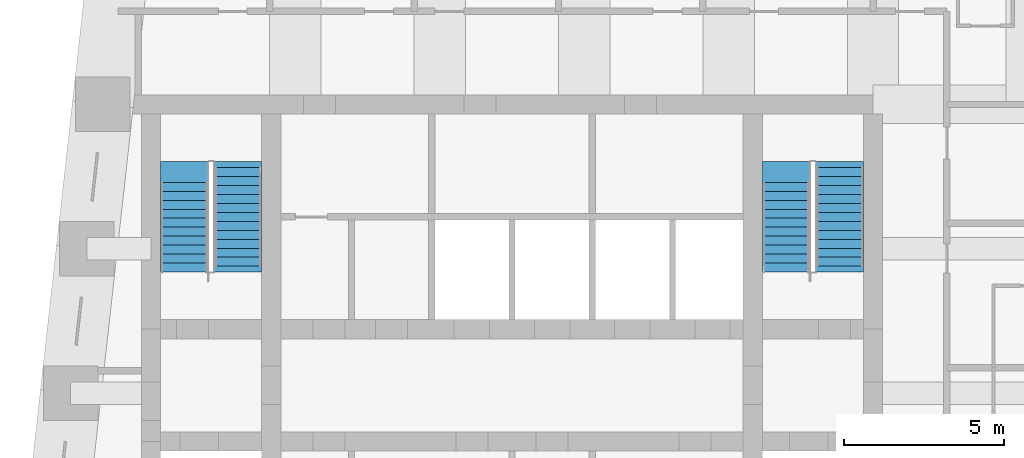
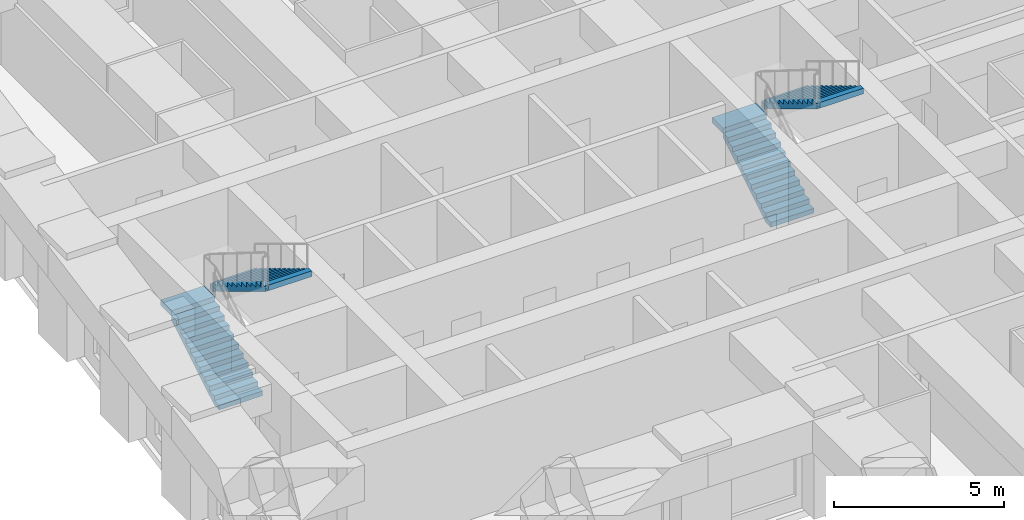
# One storey, part 6 of 7: 4 stair flights, 2 elements without a shape of their own.
"""IFC4 building model written with IfcOpenShell, lengths in metres."""

from ifc_helpers import new_model, si_unit, direction, frame, origin, place, context, subcontext, project, spatial, polyline, outline, extrude, material, type_object, element, aggregate, save


model = new_model("IFC4")

# Units and contexts
model_context = context("Model", 3, precision=1e-05, world=origin(), true_north=direction((0.0, 1.0)))
body_context = subcontext(model_context, "Body", "Model", "MODEL_VIEW")
ifc_project = project(units=[si_unit("LENGTHUNIT", "METRE"), si_unit("AREAUNIT", "SQUARE_METRE"), si_unit("VOLUMEUNIT", "CUBIC_METRE"), si_unit("PLANEANGLEUNIT", "RADIAN"), si_unit("MASSUNIT", "GRAM", prefix="KILO")], contexts=[model_context])

# Site, building, storey
site_placement = place(None, origin())
site = spatial("IfcSite", under=ifc_project, at=site_placement, CompositionType="ELEMENT")
building_placement = place(site_placement, origin())
building = spatial("IfcBuilding", under=site, at=building_placement, Name="Kilele Tower Hotel", CompositionType="ELEMENT")
storey_placement = place(building_placement, frame((0.0, 0.0, 225.199951171875)))
storey = spatial("IfcBuildingStorey", under=building, at=storey_placement, Name="L58", CompositionType="ELEMENT", Elevation=225.199951171875)

# Stair, stair flights
ifc_material_1 = material(Name="Precast concrete C40/50", Category="concrete")
stair_type = type_object("IfcStairType", Name="Stair 1475 x 3900", PredefinedType="HALF_TURN_STAIR", material=ifc_material_1)
stair_1_placement = place(storey_placement, origin())
stair_1 = element("IfcStair", 1, at=stair_1_placement, inside=storey, type_object=stair_type, Name="Stair 1 L58", PredefinedType="HALF_TURN_STAIR")
ifc_material_2 = material(Name="Precast concrete C40/50", Category="concrete")
stair_flight_type = type_object("IfcStairFlightType", Name="Flight 1475 riser 169.6", PredefinedType="STRAIGHT", material=ifc_material_2)
stair_flight_1_placement = place(storey_placement, frame((14.53759765625, 21.77490234375, 0.0), z_axis=(0.0, 0.0, 1.0), x_axis=(0.0, 1.0, 0.0)))
stair_flight_1 = element("IfcStairFlight", 2, at=stair_flight_1_placement, type_object=stair_flight_type, Name="ST1 flight 1", NumberOfRisers=11, NumberOfTreads=10, PredefinedType="STRAIGHT", RiserHeight=0.169565217, TreadLength=0.28, context=body_context, shape_type="SweptSolid", body=[
    extrude(outline(polyline([(0.0, 0.0), (0.0, 0.169677734375), (0.280029296875, 0.169677734375), (0.280029296875, 0.339111328125), (0.56005859375, 0.339111328125), (0.56005859375, 0.5087890625), (0.840087890625, 0.5087890625), (0.840087890625, 0.67822265625), (1.1201171875, 0.67822265625), (1.1201171875, 0.847900390625), (1.39990234375, 0.847900390625), (1.39990234375, 1.017333984375), (1.679931640625, 1.017333984375), (1.679931640625, 1.18701171875), (1.9599609375, 1.18701171875), (1.9599609375, 1.3564453125), (2.239990234375, 1.3564453125), (2.239990234375, 1.526123046875), (2.52001953125, 1.526123046875), (2.52001953125, 1.695556640625), (2.800048828125, 1.695556640625), (2.800048828125, 1.865234375), (2.800048828125, 1.5205078125), (0.289306640625, 0.0), (0.0, 0.0)])), frame((0.0, 0.737548828125, 0.0), z_axis=(0.0, -1.0, 0.0), x_axis=(1.0, 0.0, 0.0)), (0.0, 0.0, 1.0), 1.47509765625),
    extrude(outline(polyline([(2.800048828125, 0.737548828125), (2.800048828125, -0.7373046875), (3.4501953125, -0.7373046875), (3.4501953125, 0.737548828125), (2.800048828125, 0.737548828125)])), frame((0.0, 0.0, 1.665283203125)), (0.0, 0.0, 1.0), 0.199951171875),
])
stair_flight_2_placement = place(storey_placement, frame((16.21240234375, 25.0400390625, 1.865234375), z_axis=(0.0, 0.0, 1.0), x_axis=(0.0, -1.0, 0.0)))
stair_flight_2 = element("IfcStairFlight", 3, at=stair_flight_2_placement, type_object=stair_flight_type, Name="ST1 flight 2", NumberOfRisers=12, NumberOfTreads=11, PredefinedType="STRAIGHT", RiserHeight=0.169565217, TreadLength=0.28, context=body_context, shape_type="SweptSolid", body=[
    extrude(outline(polyline([(0.0, 0.0), (0.0, 0.169677734375), (0.280029296875, 0.169677734375), (0.280029296875, 0.339111328125), (0.56005859375, 0.339111328125), (0.56005859375, 0.5087890625), (0.840087890625, 0.5087890625), (0.840087890625, 0.67822265625), (1.1201171875, 0.67822265625), (1.1201171875, 0.847900390625), (1.39990234375, 0.847900390625), (1.39990234375, 1.017333984375), (1.679931640625, 1.017333984375), (1.679931640625, 1.18701171875), (1.9599609375, 1.18701171875), (1.9599609375, 1.3564453125), (2.239990234375, 1.3564453125), (2.239990234375, 1.526123046875), (2.52001953125, 1.526123046875), (2.52001953125, 1.695556640625), (2.800048828125, 1.695556640625), (2.800048828125, 1.865234375), (3.080078125, 1.865234375), (3.080078125, 2.03466796875), (3.080078125, 1.68994140625), (0.289306640625, 0.0), (0.0, 0.0)])), frame((0.0, 0.737548828125, 0.0), z_axis=(0.0, -1.0, 0.0), x_axis=(1.0, 0.0, 0.0)), (0.0, 0.0, 1.0), 1.47509765625),
    extrude(outline(polyline([(0.0, -0.7373046875), (0.0, 0.737548828125), (-0.18505859375, 0.737548828125), (-0.18505859375, -0.7373046875), (0.0, -0.7373046875)])), frame((0.0, 0.0, -0.199951171875)), (0.0, 0.0, 1.0), 0.199951171875),
    extrude(outline(polyline([(3.26513671875, -0.7373046875), (3.26513671875, 0.737548828125), (3.080078125, 0.737548828125), (3.080078125, -0.7373046875), (3.26513671875, -0.7373046875)])), frame((0.0, 0.0, 1.834716796875)), (0.0, 0.0, 1.0), 0.199951171875),
])
aggregate(stair_1, [stair_flight_1, stair_flight_2])

stair_2_placement = place(storey_placement, origin())
stair_2 = element("IfcStair", 4, at=stair_2_placement, inside=storey, type_object=stair_type, Name="Stair 2 L58", PredefinedType="HALF_TURN_STAIR")
stair_flight_3_placement = place(storey_placement, frame((33.28759765625, 21.77490234375, 0.0), z_axis=(0.0, 0.0, 1.0), x_axis=(0.0, 1.0, 0.0)))
stair_flight_3 = element("IfcStairFlight", 5, at=stair_flight_3_placement, type_object=stair_flight_type, Name="ST2 flight 1", NumberOfRisers=11, NumberOfTreads=10, PredefinedType="STRAIGHT", RiserHeight=0.169565217, TreadLength=0.28, context=body_context, shape_type="SweptSolid", body=[
    extrude(outline(polyline([(0.0, 0.0), (0.0, 0.169677734375), (0.280029296875, 0.169677734375), (0.280029296875, 0.339111328125), (0.56005859375, 0.339111328125), (0.56005859375, 0.5087890625), (0.840087890625, 0.5087890625), (0.840087890625, 0.67822265625), (1.1201171875, 0.67822265625), (1.1201171875, 0.847900390625), (1.39990234375, 0.847900390625), (1.39990234375, 1.017333984375), (1.679931640625, 1.017333984375), (1.679931640625, 1.18701171875), (1.9599609375, 1.18701171875), (1.9599609375, 1.3564453125), (2.239990234375, 1.3564453125), (2.239990234375, 1.526123046875), (2.52001953125, 1.526123046875), (2.52001953125, 1.695556640625), (2.800048828125, 1.695556640625), (2.800048828125, 1.865234375), (2.800048828125, 1.5205078125), (0.289306640625, 0.0), (0.0, 0.0)])), frame((0.0, 0.737548828125, 0.0), z_axis=(0.0, -1.0, 0.0), x_axis=(1.0, 0.0, 0.0)), (0.0, 0.0, 1.0), 1.47509765625),
    extrude(outline(polyline([(2.800048828125, 0.737548828125), (2.800048828125, -0.7373046875), (3.4501953125, -0.7373046875), (3.4501953125, 0.737548828125), (2.800048828125, 0.737548828125)])), frame((0.0, 0.0, 1.665283203125)), (0.0, 0.0, 1.0), 0.199951171875),
])
stair_flight_4_placement = place(storey_placement, frame((34.96240234375, 25.0400390625, 1.865234375), z_axis=(0.0, 0.0, 1.0), x_axis=(0.0, -1.0, 0.0)))
stair_flight_4 = element("IfcStairFlight", 6, at=stair_flight_4_placement, type_object=stair_flight_type, Name="ST2 flight 2", NumberOfRisers=12, NumberOfTreads=11, PredefinedType="STRAIGHT", RiserHeight=0.169565217, TreadLength=0.28, context=body_context, shape_type="SweptSolid", body=[
    extrude(outline(polyline([(0.0, 0.0), (0.0, 0.169677734375), (0.280029296875, 0.169677734375), (0.280029296875, 0.339111328125), (0.56005859375, 0.339111328125), (0.56005859375, 0.5087890625), (0.840087890625, 0.5087890625), (0.840087890625, 0.67822265625), (1.1201171875, 0.67822265625), (1.1201171875, 0.847900390625), (1.39990234375, 0.847900390625), (1.39990234375, 1.017333984375), (1.679931640625, 1.017333984375), (1.679931640625, 1.18701171875), (1.9599609375, 1.18701171875), (1.9599609375, 1.3564453125), (2.239990234375, 1.3564453125), (2.239990234375, 1.526123046875), (2.52001953125, 1.526123046875), (2.52001953125, 1.695556640625), (2.800048828125, 1.695556640625), (2.800048828125, 1.865234375), (3.080078125, 1.865234375), (3.080078125, 2.03466796875), (3.080078125, 1.68994140625), (0.289306640625, 0.0), (0.0, 0.0)])), frame((0.0, 0.737548828125, 0.0), z_axis=(0.0, -1.0, 0.0), x_axis=(1.0, 0.0, 0.0)), (0.0, 0.0, 1.0), 1.47509765625),
    extrude(outline(polyline([(0.0, -0.7373046875), (0.0, 0.737548828125), (-0.18505859375, 0.737548828125), (-0.18505859375, -0.7373046875), (0.0, -0.7373046875)])), frame((0.0, 0.0, -0.199951171875)), (0.0, 0.0, 1.0), 0.199951171875),
    extrude(outline(polyline([(3.26513671875, -0.7373046875), (3.26513671875, 0.737548828125), (3.080078125, 0.737548828125), (3.080078125, -0.7373046875), (3.26513671875, -0.7373046875)])), frame((0.0, 0.0, 1.834716796875)), (0.0, 0.0, 1.0), 0.199951171875),
])
aggregate(stair_2, [stair_flight_3, stair_flight_4])

save(model, "model.ifc")
